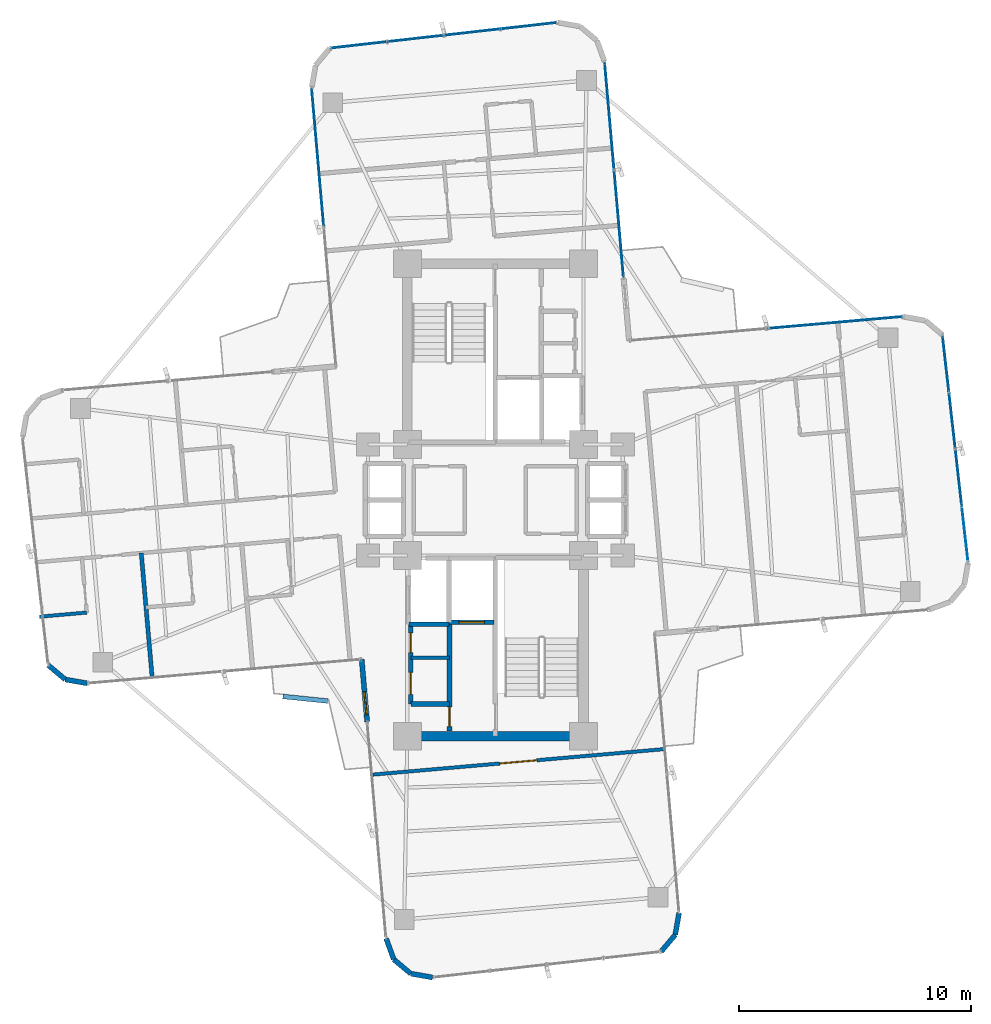
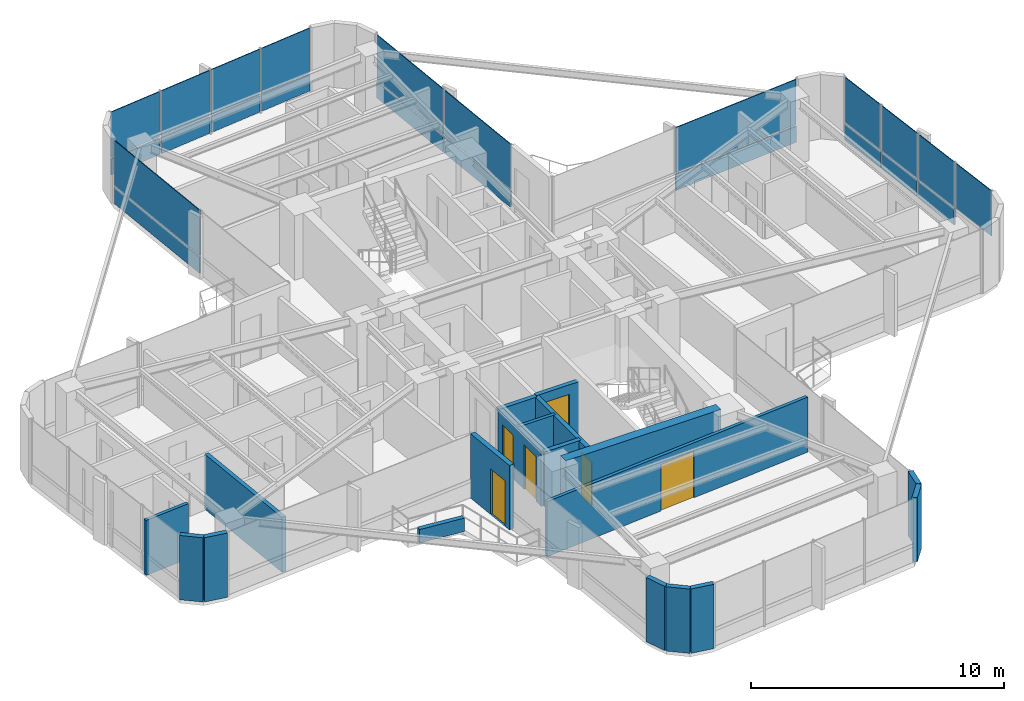
# One storey, part 20 of 24: 23 plates, 19 walls, 6 doors, 6 openings, 5 elements without a shape of their own.
"""IFC4 building model written with IfcOpenShell, lengths in metres."""

from ifc_helpers import new_model, si_unit, direction, frame, frame_2d, origin, origin_2d, place, context, subcontext, project, spatial, rectangle, extrude, source, transform, mapped, material, layer, layer_set, type_object, element, fill, aggregate, save


model = new_model("IFC4")

# Units and contexts
model_context = context("Model", 3, precision=1e-05, world=origin(), true_north=direction((0.0, 1.0)))
body_context = subcontext(model_context, "Body", "Model", "MODEL_VIEW")
ifc_project = project(units=[si_unit("LENGTHUNIT", "METRE"), si_unit("AREAUNIT", "SQUARE_METRE"), si_unit("VOLUMEUNIT", "CUBIC_METRE"), si_unit("PLANEANGLEUNIT", "RADIAN"), si_unit("MASSUNIT", "GRAM", prefix="KILO")], contexts=[model_context])

# Site, building, storey
site_placement = place(None, origin())
site = spatial("IfcSite", under=ifc_project, at=site_placement, CompositionType="ELEMENT")
building_placement = place(site_placement, origin())
building = spatial("IfcBuilding", under=site, at=building_placement, Name="Sahyath Konkavel Grand Hotel", CompositionType="ELEMENT")
storey_placement = place(building_placement, frame((0.0, 0.0, 153.949951171875)))
storey = spatial("IfcBuildingStorey", under=building, at=storey_placement, Name="L42", CompositionType="ELEMENT", Elevation=153.949951171875)

# Curtain wall, plates
ifc_material_1 = material(Name="Anodised Bronze Aluminium & Low-E Glazing", Category="aluminium")
curtain_wall_type = type_object("IfcCurtainWallType", Name="CW-ZONE3", PredefinedType="NOTDEFINED", material=ifc_material_1)
curtain_wall_1_placement = place(storey_placement, origin())
curtain_wall_1 = element("IfcCurtainWall", 1, at=curtain_wall_1_placement, inside=storey, type_object=curtain_wall_type, Name="L42 Unitised Curtain Wall F4", PredefinedType="NOTDEFINED")
ifc_material_2 = material(Name="Warm Buff Sandstone Cladding", Category="masonry")
ifc_layer_1 = layer(ifc_material_2, 0.074951171875)
ifc_layer_set_1 = layer_set([ifc_layer_1], Name="Warm Buff Sandstone Cladding")
plate_type_1 = type_object("IfcPlateType", Name="PNL-SPANDREL-STONE", PredefinedType="SHEET", material=ifc_layer_set_1)
shared_shape_1 = source(origin(), body_context, "Body", "SweptSolid", [
    extrude(rectangle(XDim=2.382080078125, YDim=0.074951171875, at=origin_2d()), origin(), (0.0, 0.0, 1.0), 0.77001953125),
])
plate_1_placement = place(storey_placement, frame((19.99755859375, 0.978515625, 0.0400390625), z_axis=(0.0, 0.0, 1.0), x_axis=(-0.111989252568, 0.993709417943, 0.0)))
plate_1 = element("IfcPlate", 2, at=plate_1_placement, type_object=plate_type_1, Name="L42 Sandstone Relief Spandrel Panel F4-1", PredefinedType="SHEET", context=body_context, shape_type="MappedRepresentation", body=[
    mapped(shared_shape_1, transform((0.0, 0.0, 0.0), scale=1.0)),
])
plate_2_placement = place(storey_placement, frame((19.7216796875, 3.425048828125, 0.0400390625), z_axis=(0.0, 0.0, 1.0), x_axis=(-0.111989252568, 0.993709417943, 0.0)))
plate_2 = element("IfcPlate", 3, at=plate_2_placement, type_object=plate_type_1, Name="L42 Sandstone Relief Spandrel Panel F4-2", PredefinedType="SHEET", context=body_context, shape_type="MappedRepresentation", body=[
    mapped(shared_shape_1, transform((0.0, 0.0, 0.0), scale=1.0)),
])
plate_3_placement = place(storey_placement, frame((19.446044921875, 5.87158203125, 0.0400390625), z_axis=(0.0, 0.0, 1.0), x_axis=(-0.111989252568, 0.993709417943, 0.0)))
plate_3 = element("IfcPlate", 4, at=plate_3_placement, type_object=plate_type_1, Name="L42 Sandstone Relief Spandrel Panel F4-3", PredefinedType="SHEET", context=body_context, shape_type="MappedRepresentation", body=[
    mapped(shared_shape_1, transform((0.0, 0.0, 0.0), scale=1.0)),
])

curtain_wall_2_placement = place(storey_placement, origin())
curtain_wall_2 = element("IfcCurtainWall", 5, at=curtain_wall_2_placement, inside=storey, type_object=curtain_wall_type, Name="L42 Unitised Curtain Wall F12", PredefinedType="NOTDEFINED")
plate_4_placement = place(storey_placement, frame((1.45068359375, 20.47265625, 0.0400390625), z_axis=(0.0, 0.0, 1.0), x_axis=(-0.993707463211, -0.112006596052, 0.0)))
plate_4 = element("IfcPlate", 6, at=plate_4_placement, type_object=plate_type_1, Name="L42 Sandstone Relief Spandrel Panel F12-0", PredefinedType="SHEET", context=body_context, shape_type="MappedRepresentation", body=[
    mapped(shared_shape_1, transform((0.0, 0.0, 0.0), scale=1.0)),
])
plate_5_placement = place(storey_placement, frame((-0.995849609375, 20.197021484375, 0.0400390625), z_axis=(0.0, 0.0, 1.0), x_axis=(-0.993707463211, -0.112006596052, 0.0)))
plate_5 = element("IfcPlate", 7, at=plate_5_placement, type_object=plate_type_1, Name="L42 Sandstone Relief Spandrel Panel F12-1", PredefinedType="SHEET", context=body_context, shape_type="MappedRepresentation", body=[
    mapped(shared_shape_1, transform((0.0, 0.0, 0.0), scale=1.0)),
])
plate_6_placement = place(storey_placement, frame((-3.4423828125, 19.921142578125, 0.0400390625), z_axis=(0.0, 0.0, 1.0), x_axis=(-0.993707463211, -0.112006596052, 0.0)))
plate_6 = element("IfcPlate", 8, at=plate_6_placement, type_object=plate_type_1, Name="L42 Sandstone Relief Spandrel Panel F12-2", PredefinedType="SHEET", context=body_context, shape_type="MappedRepresentation", body=[
    mapped(shared_shape_1, transform((0.0, 0.0, 0.0), scale=1.0)),
])
plate_7_placement = place(storey_placement, frame((-5.888916015625, 19.6455078125, 0.0400390625), z_axis=(0.0, 0.0, 1.0), x_axis=(-0.993707463211, -0.112006596052, 0.0)))
plate_7 = element("IfcPlate", 9, at=plate_7_placement, type_object=plate_type_1, Name="L42 Sandstone Relief Spandrel Panel F12-3", PredefinedType="SHEET", context=body_context, shape_type="MappedRepresentation", body=[
    mapped(shared_shape_1, transform((0.0, 0.0, 0.0), scale=1.0)),
])

# Curtain wall, plate
curtain_wall_3_placement = place(storey_placement, origin())
curtain_wall_3 = element("IfcCurtainWall", 10, at=curtain_wall_3_placement, inside=storey, type_object=curtain_wall_type, Name="L42 Unitised Curtain Wall F7", PredefinedType="NOTDEFINED")
shared_shape_2 = source(origin(), body_context, "Body", "SweptSolid", [
    extrude(rectangle(XDim=5.830078125, YDim=0.074951171875, at=origin_2d()), origin(), (0.0, 0.0, 1.0), 0.77001953125),
])
plate_8_placement = place(storey_placement, frame((14.6435546875, 7.655517578125, 0.0400390625), z_axis=(0.0, 0.0, 1.0), x_axis=(-0.996194698092, -0.087155742748, 0.0)))
plate_8 = element("IfcPlate", 11, at=plate_8_placement, type_object=plate_type_1, Name="L42 Sandstone Relief Spandrel Panel F7-0", PredefinedType="SHEET", context=body_context, shape_type="MappedRepresentation", body=[
    mapped(shared_shape_2, transform((0.0, 0.0, 0.0), scale=1.0)),
])

# Curtain wall, plates
curtain_wall_4_placement = place(storey_placement, origin())
curtain_wall_4 = element("IfcCurtainWall", 12, at=curtain_wall_4_placement, inside=storey, type_object=curtain_wall_type, Name="L42 Unitised Curtain Wall F8", PredefinedType="NOTDEFINED")
shared_shape_3 = source(origin(), body_context, "Body", "SweptSolid", [
    extrude(rectangle(XDim=4.580078125, YDim=0.074951171875, at=origin_2d()), origin(), (0.0, 0.0, 1.0), 0.77001953125),
])
plate_9_placement = place(storey_placement, frame((5.33056640625, 11.929931640625, 0.0400390625), z_axis=(0.0, 0.0, 1.0), x_axis=(-0.087155742748, 0.996194698092, 0.0)))
plate_9 = element("IfcPlate", 13, at=plate_9_placement, type_object=plate_type_1, Name="L42 Sandstone Relief Spandrel Panel F8-0", PredefinedType="SHEET", context=body_context, shape_type="MappedRepresentation", body=[
    mapped(shared_shape_3, transform((0.0, 0.0, 0.0), scale=1.0)),
])
plate_10_placement = place(storey_placement, frame((4.92431640625, 16.572265625, 0.0400390625), z_axis=(0.0, 0.0, 1.0), x_axis=(-0.087155742748, 0.996194698092, 0.0)))
plate_10 = element("IfcPlate", 14, at=plate_10_placement, type_object=plate_type_1, Name="L42 Sandstone Relief Spandrel Panel F8-1", PredefinedType="SHEET", context=body_context, shape_type="MappedRepresentation", body=[
    mapped(shared_shape_3, transform((0.0, 0.0, 0.0), scale=1.0)),
])

# Curtain wall, plate
curtain_wall_5_placement = place(storey_placement, origin())
curtain_wall_5 = element("IfcCurtainWall", 15, at=curtain_wall_5_placement, inside=storey, type_object=curtain_wall_type, Name="L42 Unitised Curtain Wall F15", PredefinedType="NOTDEFINED")
shared_shape_4 = source(origin(), body_context, "Body", "SweptSolid", [
    extrude(rectangle(XDim=5.929931640625, YDim=0.074951171875, at=origin_2d()), origin(), (0.0, 0.0, 1.0), 0.77001953125),
])
plate_11_placement = place(storey_placement, frame((-7.66845703125, 14.79296875, 0.0400390625), z_axis=(0.0, 0.0, 1.0), x_axis=(0.087155742748, -0.996194698092, 0.0)))
plate_11 = element("IfcPlate", 16, at=plate_11_placement, type_object=plate_type_1, Name="L42 Sandstone Relief Spandrel Panel F15-0", PredefinedType="SHEET", context=body_context, shape_type="MappedRepresentation", body=[
    mapped(shared_shape_4, transform((0.0, 0.0, 0.0), scale=1.0)),
])

# Plate
ifc_material_3 = material(Name="Low-E Solar Control Double Glazing", Category="glass")
ifc_layer_2 = layer(ifc_material_3, 0.035888671875)
ifc_layer_set_2 = layer_set([ifc_layer_2], Name="Low-E Solar Control Double Glazing")
plate_type_2 = type_object("IfcPlateType", Name="PNL-VISION-LOWE", PredefinedType="CURTAIN_PANEL", material=ifc_layer_set_2)
shared_shape_5 = source(origin(), body_context, "Body", "SweptSolid", [
    extrude(rectangle(XDim=2.382080078125, YDim=0.035888671875, at=origin_2d()), origin(), (0.0, 0.0, 1.0), 2.179931640625),
])
plate_12_placement = place(storey_placement, frame((20.2734375, -1.468017578125, 0.89013671875), z_axis=(0.0, 0.0, 1.0), x_axis=(-0.111989252568, 0.993709417943, 0.0)))
plate_12 = element("IfcPlate", 17, at=plate_12_placement, type_object=plate_type_2, Name="L42 Low-E Vision Glazing Panel F4-0", PredefinedType="CURTAIN_PANEL", context=body_context, shape_type="MappedRepresentation", body=[
    mapped(shared_shape_5, transform((0.0, 0.0, 0.0), scale=1.0)),
])

plate_13_placement = place(storey_placement, frame((19.99755859375, 0.978515625, 0.89013671875), z_axis=(0.0, 0.0, 1.0), x_axis=(-0.111989252568, 0.993709417943, 0.0)))
plate_13 = element("IfcPlate", 18, at=plate_13_placement, type_object=plate_type_2, Name="L42 Low-E Vision Glazing Panel F4-1", PredefinedType="CURTAIN_PANEL", context=body_context, shape_type="MappedRepresentation", body=[
    mapped(shared_shape_5, transform((0.0, 0.0, 0.0), scale=1.0)),
])

plate_14_placement = place(storey_placement, frame((19.7216796875, 3.425048828125, 0.89013671875), z_axis=(0.0, 0.0, 1.0), x_axis=(-0.111989252568, 0.993709417943, 0.0)))
plate_14 = element("IfcPlate", 19, at=plate_14_placement, type_object=plate_type_2, Name="L42 Low-E Vision Glazing Panel F4-2", PredefinedType="CURTAIN_PANEL", context=body_context, shape_type="MappedRepresentation", body=[
    mapped(shared_shape_5, transform((0.0, 0.0, 0.0), scale=1.0)),
])

plate_15_placement = place(storey_placement, frame((19.446044921875, 5.87158203125, 0.89013671875), z_axis=(0.0, 0.0, 1.0), x_axis=(-0.111989252568, 0.993709417943, 0.0)))
plate_15 = element("IfcPlate", 20, at=plate_15_placement, type_object=plate_type_2, Name="L42 Low-E Vision Glazing Panel F4-3", PredefinedType="CURTAIN_PANEL", context=body_context, shape_type="MappedRepresentation", body=[
    mapped(shared_shape_5, transform((0.0, 0.0, 0.0), scale=1.0)),
])

aggregate(curtain_wall_1, [plate_12, plate_1, plate_13, plate_2, plate_14, plate_3, plate_15])

plate_16_placement = place(storey_placement, frame((1.45068359375, 20.47265625, 0.89013671875), z_axis=(0.0, 0.0, 1.0), x_axis=(-0.993707463211, -0.112006596052, 0.0)))
plate_16 = element("IfcPlate", 21, at=plate_16_placement, type_object=plate_type_2, Name="L42 Low-E Vision Glazing Panel F12-0", PredefinedType="CURTAIN_PANEL", context=body_context, shape_type="MappedRepresentation", body=[
    mapped(shared_shape_5, transform((0.0, 0.0, 0.0), scale=1.0)),
])

plate_17_placement = place(storey_placement, frame((-0.995849609375, 20.197021484375, 0.89013671875), z_axis=(0.0, 0.0, 1.0), x_axis=(-0.993707463211, -0.112006596052, 0.0)))
plate_17 = element("IfcPlate", 22, at=plate_17_placement, type_object=plate_type_2, Name="L42 Low-E Vision Glazing Panel F12-1", PredefinedType="CURTAIN_PANEL", context=body_context, shape_type="MappedRepresentation", body=[
    mapped(shared_shape_5, transform((0.0, 0.0, 0.0), scale=1.0)),
])

plate_18_placement = place(storey_placement, frame((-3.4423828125, 19.921142578125, 0.89013671875), z_axis=(0.0, 0.0, 1.0), x_axis=(-0.993707463211, -0.112006596052, 0.0)))
plate_18 = element("IfcPlate", 23, at=plate_18_placement, type_object=plate_type_2, Name="L42 Low-E Vision Glazing Panel F12-2", PredefinedType="CURTAIN_PANEL", context=body_context, shape_type="MappedRepresentation", body=[
    mapped(shared_shape_5, transform((0.0, 0.0, 0.0), scale=1.0)),
])

plate_19_placement = place(storey_placement, frame((-5.888916015625, 19.6455078125, 0.89013671875), z_axis=(0.0, 0.0, 1.0), x_axis=(-0.993707463211, -0.112006596052, 0.0)))
plate_19 = element("IfcPlate", 24, at=plate_19_placement, type_object=plate_type_2, Name="L42 Low-E Vision Glazing Panel F12-3", PredefinedType="CURTAIN_PANEL", context=body_context, shape_type="MappedRepresentation", body=[
    mapped(shared_shape_5, transform((0.0, 0.0, 0.0), scale=1.0)),
])

aggregate(curtain_wall_2, [plate_4, plate_16, plate_5, plate_17, plate_6, plate_18, plate_7, plate_19])

shared_shape_6 = source(origin(), body_context, "Body", "SweptSolid", [
    extrude(rectangle(XDim=5.830078125, YDim=0.035888671875, at=origin_2d()), origin(), (0.0, 0.0, 1.0), 2.179931640625),
])
plate_20_placement = place(storey_placement, frame((14.6435546875, 7.655517578125, 0.89013671875), z_axis=(0.0, 0.0, 1.0), x_axis=(-0.996194698092, -0.087155742748, 0.0)))
plate_20 = element("IfcPlate", 25, at=plate_20_placement, type_object=plate_type_2, Name="L42 Low-E Vision Glazing Panel F7-0", PredefinedType="CURTAIN_PANEL", context=body_context, shape_type="MappedRepresentation", body=[
    mapped(shared_shape_6, transform((0.0, 0.0, 0.0), scale=1.0)),
])

aggregate(curtain_wall_3, [plate_8, plate_20])

shared_shape_7 = source(origin(), body_context, "Body", "SweptSolid", [
    extrude(rectangle(XDim=4.580078125, YDim=0.035888671875, at=origin_2d()), origin(), (0.0, 0.0, 1.0), 2.179931640625),
])
plate_21_placement = place(storey_placement, frame((5.33056640625, 11.929931640625, 0.89013671875), z_axis=(0.0, 0.0, 1.0), x_axis=(-0.087155742748, 0.996194698092, 0.0)))
plate_21 = element("IfcPlate", 26, at=plate_21_placement, type_object=plate_type_2, Name="L42 Low-E Vision Glazing Panel F8-0", PredefinedType="CURTAIN_PANEL", context=body_context, shape_type="MappedRepresentation", body=[
    mapped(shared_shape_7, transform((0.0, 0.0, 0.0), scale=1.0)),
])

plate_22_placement = place(storey_placement, frame((4.92431640625, 16.572265625, 0.89013671875), z_axis=(0.0, 0.0, 1.0), x_axis=(-0.087155742748, 0.996194698092, 0.0)))
plate_22 = element("IfcPlate", 27, at=plate_22_placement, type_object=plate_type_2, Name="L42 Low-E Vision Glazing Panel F8-1", PredefinedType="CURTAIN_PANEL", context=body_context, shape_type="MappedRepresentation", body=[
    mapped(shared_shape_7, transform((0.0, 0.0, 0.0), scale=1.0)),
])

aggregate(curtain_wall_4, [plate_9, plate_21, plate_10, plate_22])

shared_shape_8 = source(origin(), body_context, "Body", "SweptSolid", [
    extrude(rectangle(XDim=5.929931640625, YDim=0.035888671875, at=origin_2d()), origin(), (0.0, 0.0, 1.0), 2.179931640625),
])
plate_23_placement = place(storey_placement, frame((-7.66845703125, 14.79296875, 0.89013671875), z_axis=(0.0, 0.0, 1.0), x_axis=(0.087155742748, -0.996194698092, 0.0)))
plate_23 = element("IfcPlate", 28, at=plate_23_placement, type_object=plate_type_2, Name="L42 Low-E Vision Glazing Panel F15-0", PredefinedType="CURTAIN_PANEL", context=body_context, shape_type="MappedRepresentation", body=[
    mapped(shared_shape_8, transform((0.0, 0.0, 0.0), scale=1.0)),
])

aggregate(curtain_wall_5, [plate_11, plate_23])

# Walls
ifc_material_4 = material(Name="Concrete C50/60", Category="concrete")
ifc_layer_3 = layer(ifc_material_4, 0.419921875)
ifc_layer_set_3 = layer_set([ifc_layer_3], Name="Concrete C50/60")
wall_type_1 = type_object("IfcWallType", Name="CWALL-420", PredefinedType="SHEAR", material=ifc_layer_set_3)
wall_1_placement = place(storey_placement, frame((-3.550048828125, -10.199951171875, 0.0), z_axis=(0.0, 0.0, 1.0), x_axis=(1.0, 0.0, 0.0)))
element("IfcWall", 29, at=wall_1_placement, inside=storey, type_object=wall_type_1, Name="L42 South Core Shear Wall S", PredefinedType="SHEAR", context=body_context, shape_type="SweptSolid", body=[
    extrude(rectangle(XDim=7.10009765625, YDim=0.419921875, at=frame_2d((3.550048828125, 0.0))), origin(), (0.0, 0.0, 1.0), 3.110107421875),
])
ifc_material_5 = material(Name="Warm Buff Sandstone Insulated Concrete C40/50", Category="masonry")
ifc_layer_4 = layer(ifc_material_5, 0.219970703125)
ifc_layer_set_4 = layer_set([ifc_layer_4], Name="Warm Buff Sandstone Insulated Concrete C40/50")
wall_type_2 = type_object("IfcWallType", Name="WLL-BALC-THRESH", PredefinedType="STANDARD", material=ifc_layer_set_4)
wall_2_placement = place(storey_placement, frame((-19.3037109375, -7.134521484375, 0.0), z_axis=(0.0, 0.0, 1.0), x_axis=(0.766001159887, -0.642839189107, 0.0)))
element("IfcWall", 30, at=wall_2_placement, inside=storey, type_object=wall_type_2, Name="L42 Rounded Corner Sandstone Pier 21", PredefinedType="STANDARD", context=body_context, shape_type="SweptSolid", body=[
    extrude(rectangle(XDim=0.95751953125, YDim=0.219970703125, at=frame_2d((0.478759765625, 0.0))), origin(), (0.0, 0.0, 1.0), 3.110107421875),
])
wall_3_placement = place(storey_placement, frame((-18.5703125, -7.75, 0.0), z_axis=(0.0, 0.0, 1.0), x_axis=(0.984770724397, -0.173858046606, 0.0)))
element("IfcWall", 31, at=wall_3_placement, inside=storey, type_object=wall_type_2, Name="L42 Rounded Corner Sandstone Pier 22", PredefinedType="STANDARD", context=body_context, shape_type="SweptSolid", body=[
    extrude(rectangle(XDim=0.957763671875, YDim=0.219970703125, at=frame_2d((0.47900390625, 0.0))), origin(), (0.0, 0.0, 1.0), 3.110107421875),
])

# Wall, opening, door
wall_4_placement = place(storey_placement, frame((-5.7724609375, -6.87939453125, 0.0), z_axis=(0.0, 0.0, 1.0), x_axis=(0.087168071984, -0.996193619346, 0.0)))
wall_4 = element("IfcWall", 32, at=wall_4_placement, inside=storey, type_object=wall_type_2, Name="L42 Winter-Garden Threshold Wall 24", PredefinedType="STANDARD", context=body_context, shape_type="SweptSolid", body=[
    extrude(rectangle(XDim=2.699951171875, YDim=0.219970703125, at=frame_2d((1.35009765625, 0.0))), origin(), (0.0, 0.0, 1.0), 3.110107421875),
])
opening_1_placement = place(wall_4_placement, frame((1.39990234375, 0.0, 0.0)))
opening_1 = element("IfcOpeningElement", 33, at=opening_1_placement, cuts=wall_4, Name="Opening D-TR1", PredefinedType="OPENING", context=body_context, shape_type="SweptSolid", body=[
    extrude(rectangle(XDim=1.0, YDim=2.199951171875, at=frame_2d((0.5, 1.10009765625))), frame((0.0, 0.1201171875, 0.0), z_axis=(0.0, -1.0, 0.0), x_axis=(1.0, 0.0, 0.0)), (0.0, 0.0, 1.0), 0.239990234375),
])
door_type_1 = type_object("IfcDoorType", Name="DR-TERRACE-1000", OperationType="NOTDEFINED", PredefinedType="DOOR", material=ifc_material_1)
shared_shape_9 = source(origin(), body_context, "Body", "SweptSolid", [
    extrude(rectangle(XDim=1.0, YDim=0.050048828125, at=origin_2d()), origin(), (0.0, 0.0, 1.0), 2.199951171875),
])
door_1_placement = place(opening_1_placement, frame((0.5, 0.0, 0.0)))
door_1 = element("IfcDoor", 34, at=door_1_placement, inside=storey, type_object=door_type_1, Name="L42 Winter-Garden Terrace Door 24", OperationType="SINGLE_SWING_LEFT", OverallHeight=2.199951171875, OverallWidth=1.0, PredefinedType="DOOR", context=body_context, shape_type="MappedRepresentation", body=[
    mapped(shared_shape_9, transform((0.0, 0.0, 0.0), scale=1.0)),
])
fill(opening_1, door_1)

# Walls
wall_5_placement = place(storey_placement, frame((-4.7177734375, -18.93310546875, 0.0), z_axis=(0.0, 0.0, 1.0), x_axis=(0.34188635151, -0.939741306239, 0.0)))
element("IfcWall", 35, at=wall_5_placement, inside=storey, type_object=wall_type_2, Name="L42 Rounded Corner Sandstone Pier 25", PredefinedType="STANDARD", context=body_context, shape_type="SweptSolid", body=[
    extrude(rectangle(XDim=0.95751953125, YDim=0.219970703125, at=frame_2d((0.478759765625, 0.0))), origin(), (0.0, 0.0, 1.0), 3.110107421875),
])
for number, where, z_axis, x_axis, name in (
    (36, (-4.390380859375, -19.8330078125, 0.0), (0.0, 0.0, 1.0), (0.765980978054, -0.642863236823, 0.0), "L42 Rounded Corner Sandstone Pier 26"),
    (37, (-3.65673828125, -20.44873046875, 0.0), (0.0, 0.0, 1.0), (0.984814340885, -0.173610811841, 0.0), "L42 Rounded Corner Sandstone Pier 27"),
):
    element("IfcWall", number, at=place(storey_placement, frame(where, z_axis=z_axis, x_axis=x_axis)), inside=storey, type_object=wall_type_2, Name=name, PredefinedType="STANDARD", context=body_context, shape_type="SweptSolid", body=[
        extrude(rectangle(XDim=0.957763671875, YDim=0.219970703125, at=frame_2d((0.47900390625, 0.0))), origin(), (0.0, 0.0, 1.0), 3.110107421875),
    ])
for number, where, z_axis, x_axis, name in (
    (38, (7.152099609375, -19.5029296875, 0.0), (0.0, 0.0, 1.0), (0.642713642115, 0.766106503196, 0.0), "L42 Rounded Corner Sandstone Pier 29"),
    (39, (7.767578125, -18.769287109375, 0.0), (0.0, 0.0, 1.0), (0.173654409999, 0.984806654064, 0.0), "L42 Rounded Corner Sandstone Pier 30"),
):
    element("IfcWall", number, at=place(storey_placement, frame(where, z_axis=z_axis, x_axis=x_axis)), inside=storey, type_object=wall_type_2, Name=name, PredefinedType="STANDARD", context=body_context, shape_type="SweptSolid", body=[
        extrude(rectangle(XDim=0.95751953125, YDim=0.219970703125, at=frame_2d((0.478759765625, 0.0))), origin(), (0.0, 0.0, 1.0), 3.110107421875),
    ])

# Wall, opening, door
ifc_material_6 = material(Name="Concrete C40/50", Category="concrete")
ifc_layer_5 = layer(ifc_material_6, 0.199951171875)
ifc_layer_set_5 = layer_set([ifc_layer_5], Name="Concrete C40/50")
wall_type_3 = type_object("IfcWallType", Name="WLL-CORE-200", PredefinedType="SOLIDWALL", material=ifc_layer_set_5)
wall_6_placement = place(storey_placement, frame((-1.97998046875, -9.97998046875, 0.0), z_axis=(0.0, 0.0, 1.0), x_axis=(0.0, 1.0, 0.0)))
wall_6 = element("IfcWall", 40, at=wall_6_placement, inside=storey, type_object=wall_type_3, Name="L42 South Firefighting Lobby Wall W", PredefinedType="SOLIDWALL", context=body_context, shape_type="SweptSolid", body=[
    extrude(rectangle(XDim=4.659912109375, YDim=0.199951171875, at=frame_2d((2.330078125, 0.0))), origin(), (0.0, 0.0, 1.0), 2.66015625),
])
opening_2_placement = place(wall_6_placement, frame((0.199951171875, 0.0, 0.0)))
opening_2 = element("IfcOpeningElement", 41, at=opening_2_placement, cuts=wall_6, Name="Opening D-F12D", PredefinedType="OPENING", context=body_context, shape_type="SweptSolid", body=[
    extrude(rectangle(XDim=0.85009765625, YDim=2.10009765625, at=frame_2d((0.425048828125, 1.050048828125))), frame((0.0, 0.10986328125, 0.0), z_axis=(0.0, -1.0, 0.0), x_axis=(1.0, 0.0, 0.0)), (0.0, 0.0, 1.0), 0.219970703125),
])
ifc_material_7 = material(Name="Steel E350 Core Fire Door", Category="steel")
door_type_2 = type_object("IfcDoorType", Name="DR-FD120-850", OperationType="NOTDEFINED", PredefinedType="DOOR", material=ifc_material_7)
shared_shape_10 = source(origin(), body_context, "Body", "SweptSolid", [
    extrude(rectangle(XDim=0.85009765625, YDim=0.050048828125, at=origin_2d()), origin(), (0.0, 0.0, 1.0), 2.10009765625),
])
door_2_placement = place(opening_2_placement, frame((0.425048828125, 0.0, 0.0)))
door_2 = element("IfcDoor", 42, at=door_2_placement, inside=storey, type_object=door_type_2, Name="L42 South Firefighting Lobby Door", OperationType="SINGLE_SWING_LEFT", OverallHeight=2.10009765625, OverallWidth=0.85009765625, PredefinedType="DOOR", context=body_context, shape_type="MappedRepresentation", body=[
    mapped(shared_shape_10, transform((0.0, 0.0, 0.0), scale=1.0)),
])
fill(opening_2, door_2)

wall_7_placement = place(storey_placement, frame((-1.97998046875, -5.280029296875, 0.0), z_axis=(0.0, 0.0, 1.0), x_axis=(1.0, 0.0, 0.0)))
wall_7 = element("IfcWall", 43, at=wall_7_placement, inside=storey, type_object=wall_type_3, Name="L42 Partition SH-FFL2-S", PredefinedType="SOLIDWALL", context=body_context, shape_type="SweptSolid", body=[
    extrude(rectangle(XDim=1.929931640625, YDim=0.199951171875, at=frame_2d((0.96484375, 0.0))), origin(), (0.0, 0.0, 1.0), 2.66015625),
])
opening_3_placement = place(wall_7_placement, frame((0.39990234375, 0.0, 0.0)))
opening_3 = element("IfcOpeningElement", 44, at=opening_3_placement, cuts=wall_7, Name="Opening LD-11", PredefinedType="OPENING", context=body_context, shape_type="SweptSolid", body=[
    extrude(rectangle(XDim=1.10009765625, YDim=2.199951171875, at=frame_2d((0.550048828125, 1.10009765625))), frame((0.0, 0.10986328125, 0.0), z_axis=(0.0, -1.0, 0.0), x_axis=(1.0, 0.0, 0.0)), (0.0, 0.0, 1.0), 0.219970703125),
])
ifc_material_8 = material(Name="Bronze Lift Landing Door 1100")
door_type_3 = type_object("IfcDoorType", Name="DR-LIFT-1100", OperationType="DOUBLE_DOOR_SLIDING", PredefinedType="DOOR", material=ifc_material_8)
shared_shape_11 = source(origin(), body_context, "Body", "SweptSolid", [
    extrude(rectangle(XDim=1.10009765625, YDim=0.050048828125, at=origin_2d()), origin(), (0.0, 0.0, 1.0), 2.199951171875),
])
door_3_placement = place(opening_3_placement, frame((0.550048828125, 0.0, 0.0)))
door_3 = element("IfcDoor", 45, at=door_3_placement, inside=storey, type_object=door_type_3, Name="L42 Lift FFL-2 Landing Door", OperationType="DOUBLE_DOOR_SLIDING", OverallHeight=2.199951171875, OverallWidth=1.10009765625, PredefinedType="DOOR", context=body_context, shape_type="MappedRepresentation", body=[
    mapped(shared_shape_11, transform((0.0, 0.0, 0.0), scale=1.0)),
])
fill(opening_3, door_3)

# Wall
wall_8_placement = place(storey_placement, frame((-3.739990234375, -5.360107421875, 0.0), z_axis=(0.0, 0.0, 1.0), x_axis=(1.0, 0.0, 0.0)))
element("IfcWall", 46, at=wall_8_placement, inside=storey, type_object=wall_type_3, Name="L42 Partition SH-SVL2-S", PredefinedType="SOLIDWALL", context=body_context, shape_type="SweptSolid", body=[
    extrude(rectangle(XDim=1.739990234375, YDim=0.199951171875, at=frame_2d((0.8701171875, 0.0))), origin(), (0.0, 0.0, 1.0), 2.66015625),
])

# Wall, openings, doors
wall_9_placement = place(storey_placement, frame((-3.64990234375, -8.81005859375, 0.0), z_axis=(0.0, 0.0, 1.0), x_axis=(0.0, 1.0, 0.0)))
wall_9 = element("IfcWall", 47, at=wall_9_placement, inside=storey, type_object=wall_type_3, Name="L42 Reclaimed South Core Wall W", PredefinedType="SOLIDWALL", context=body_context, shape_type="SweptSolid", body=[
    extrude(rectangle(XDim=3.43017578125, YDim=0.199951171875, at=frame_2d((1.715087890625, 0.0))), origin(), (0.0, 0.0, 1.0), 2.66015625),
])
opening_4_placement = place(wall_9_placement, frame((0.419921875, 0.0, 0.0)))
opening_4 = element("IfcOpeningElement", 48, at=opening_4_placement, cuts=wall_9, Name="Opening D-AC95", PredefinedType="OPENING", context=body_context, shape_type="SweptSolid", body=[
    extrude(rectangle(XDim=0.949951171875, YDim=2.14990234375, at=frame_2d((0.47509765625, 1.074951171875))), frame((0.0, 0.10986328125, 0.0), z_axis=(0.0, -1.0, 0.0), x_axis=(1.0, 0.0, 0.0)), (0.0, 0.0, 1.0), 0.219970703125),
])
opening_5_placement = place(wall_9_placement, frame((2.219970703125, 0.0, 0.0)))
opening_5 = element("IfcOpeningElement", 49, at=opening_5_placement, cuts=wall_9, Name="Opening D-F06D", PredefinedType="OPENING", context=body_context, shape_type="SweptSolid", body=[
    extrude(rectangle(XDim=0.85009765625, YDim=2.10009765625, at=frame_2d((0.425048828125, 1.050048828125))), frame((0.0, 0.10986328125, 0.0), z_axis=(0.0, -1.0, 0.0), x_axis=(1.0, 0.0, 0.0)), (0.0, 0.0, 1.0), 0.219970703125),
])
ifc_material_9 = material(Name="Accessible Washroom Timber Door", Category="wood")
door_type_4 = type_object("IfcDoorType", Name="DR-ACC-950", OperationType="NOTDEFINED", PredefinedType="DOOR", material=ifc_material_9)
shared_shape_12 = source(origin(), body_context, "Body", "SweptSolid", [
    extrude(rectangle(XDim=0.949951171875, YDim=0.050048828125, at=origin_2d()), origin(), (0.0, 0.0, 1.0), 2.14990234375),
])
door_4_placement = place(opening_4_placement, frame((0.47509765625, 0.0, 0.0)))
door_4 = element("IfcDoor", 50, at=door_4_placement, inside=storey, type_object=door_type_4, Name="L42 Door SC-REC1-D", OperationType="SINGLE_SWING_RIGHT", OverallHeight=2.14990234375, OverallWidth=0.949951171875, PredefinedType="DOOR", context=body_context, shape_type="MappedRepresentation", body=[
    mapped(shared_shape_12, transform((0.0, 0.0, 0.0), scale=1.0)),
])
fill(opening_4, door_4)
ifc_material_10 = material(Name="Fire-Rated Shaft Access Door")
door_type_5 = type_object("IfcDoorType", Name="DR-FD60-850", OperationType="NOTDEFINED", PredefinedType="DOOR", material=ifc_material_10)
door_5_placement = place(opening_5_placement, frame((0.425048828125, 0.0, 0.0)))
door_5 = element("IfcDoor", 51, at=door_5_placement, inside=storey, type_object=door_type_5, Name="L42 Door SC-REC2-D", OperationType="SINGLE_SWING_LEFT", OverallHeight=2.10009765625, OverallWidth=0.85009765625, PredefinedType="DOOR", context=body_context, shape_type="MappedRepresentation", body=[
    mapped(shared_shape_10, transform((0.0, 0.0, 0.0), scale=1.0)),
])
fill(opening_5, door_5)

# Walls
wall_10_placement = place(storey_placement, frame((-3.64990234375, -8.81005859375, 0.0), z_axis=(0.0, 0.0, 1.0), x_axis=(1.0, 0.0, 0.0)))
element("IfcWall", 52, at=wall_10_placement, inside=storey, type_object=wall_type_3, Name="L42 Partition SC-REC-S", PredefinedType="SOLIDWALL", context=body_context, shape_type="SweptSolid", body=[
    extrude(rectangle(XDim=1.669921875, YDim=0.199951171875, at=frame_2d((0.8349609375, 0.0))), origin(), (0.0, 0.0, 1.0), 2.66015625),
])
ifc_material_11 = material(Name="Twin-Stud Acoustic Gypsum Plasterboard Partition")
ifc_layer_6 = layer(ifc_material_11, 0.179931640625)
ifc_layer_set_6 = layer_set([ifc_layer_6], Name="Twin-Stud Acoustic Gypsum Plasterboard Partition")
wall_type_4 = type_object("IfcWallType", Name="WLL-DEMISE-180", PredefinedType="PARTITIONING", material=ifc_layer_set_6)
wall_11_placement = place(storey_placement, frame((-15.28857421875, -2.291259765625, 0.0), z_axis=(0.0, 0.0, 1.0), x_axis=(0.087161289348, -0.996194212812, 0.0)))
element("IfcWall", 53, at=wall_11_placement, inside=storey, type_object=wall_type_4, Name="L42 Partition W-W2L-DEM", PredefinedType="PARTITIONING", context=body_context, shape_type="SweptSolid", body=[
    extrude(rectangle(XDim=5.349853515625, YDim=0.179931640625, at=frame_2d((2.6748046875, 0.0))), origin(), (0.0, 0.0, 1.0), 2.66015625),
])
ifc_material_12 = material(Name="Fire-Rated Gypsum Plasterboard Partition")
ifc_layer_7 = layer(ifc_material_12, 0.14990234375)
ifc_layer_set_7 = layer_set([ifc_layer_7], Name="Fire-Rated Gypsum Plasterboard Partition")
wall_type_5 = type_object("IfcWallType", Name="WLL-PART-150", PredefinedType="PARTITIONING", material=ifc_layer_set_7)
wall_12_placement = place(storey_placement, frame((-3.64990234375, -6.81005859375, 0.0), z_axis=(0.0, 0.0, 1.0), x_axis=(1.0, 0.0, 0.0)))
element("IfcWall", 54, at=wall_12_placement, inside=storey, type_object=wall_type_5, Name="L42 Partition SC-REC-M1", PredefinedType="PARTITIONING", context=body_context, shape_type="SweptSolid", body=[
    extrude(rectangle(XDim=1.669921875, YDim=0.14990234375, at=frame_2d((0.8349609375, 0.0))), origin(), (0.0, 0.0, 1.0), 2.66015625),
])
wall_13_placement = place(storey_placement, frame((-17.6435546875, -4.860107421875, 0.0), z_axis=(0.0, 0.0, 1.0), x_axis=(-0.99619307114, -0.087174336889, 0.0)))
element("IfcWall", 55, at=wall_13_placement, inside=storey, type_object=wall_type_5, Name="L42 Partition W-W3L-BF", PredefinedType="PARTITIONING", context=body_context, shape_type="SweptSolid", body=[
    extrude(rectangle(XDim=2.050048828125, YDim=0.14990234375, at=frame_2d((1.02490234375, 0.0))), origin(), (0.0, 0.0, 1.0), 2.66015625),
])

# Wall, opening, door
wall_14_placement = place(storey_placement, frame((-5.286865234375, -11.85595703125, 0.0), z_axis=(0.0, 0.0, 1.0), x_axis=(0.996194790044, 0.087154691724, 0.0)))
wall_14 = element("IfcWall", 56, at=wall_14_placement, inside=storey, type_object=wall_type_5, Name="L42 Partition S-SAL-IN", PredefinedType="PARTITIONING", context=body_context, shape_type="SweptSolid", body=[
    extrude(rectangle(XDim=12.599853515625, YDim=0.14990234375, at=frame_2d((6.2998046875, 0.0))), origin(), (0.0, 0.0, 1.0), 2.66015625),
])
opening_6_placement = place(wall_14_placement, frame((5.5, 0.0, 0.0)))
opening_6 = element("IfcOpeningElement", 57, at=opening_6_placement, cuts=wall_14, Name="Opening D-DB16", PredefinedType="OPENING", context=body_context, shape_type="SweptSolid", body=[
    extrude(rectangle(XDim=1.60009765625, YDim=2.25, at=frame_2d((0.800048828125, 1.125))), frame((0.0, 0.0849609375, 0.0), z_axis=(0.0, -1.0, 0.0), x_axis=(1.0, 0.0, 0.0)), (0.0, 0.0, 1.0), 0.169921875),
])
ifc_material_13 = material(Name="Double Leaf Lounge Glazed Timber Door", Category="wood")
door_type_6 = type_object("IfcDoorType", Name="DR-DBL-1600", OperationType="DOUBLE_DOOR_SINGLE_SWING", PredefinedType="DOOR", material=ifc_material_13)
shared_shape_13 = source(origin(), body_context, "Body", "SweptSolid", [
    extrude(rectangle(XDim=1.60009765625, YDim=0.050048828125, at=origin_2d()), origin(), (0.0, 0.0, 1.0), 2.25),
])
door_6_placement = place(opening_6_placement, frame((0.800048828125, 0.0, 0.0)))
door_6 = element("IfcDoor", 58, at=door_6_placement, inside=storey, type_object=door_type_6, Name="L42 Door S-SAL-D", OperationType="DOUBLE_DOOR_SINGLE_SWING", OverallHeight=2.25, OverallWidth=1.60009765625, PredefinedType="DOOR", context=body_context, shape_type="MappedRepresentation", body=[
    mapped(shared_shape_13, transform((0.0, 0.0, 0.0), scale=1.0)),
])
fill(opening_6, door_6)

# Wall
ifc_material_14 = material(Name="Warm Buff Sandstone Planter Wall", Category="masonry")
ifc_layer_8 = layer(ifc_material_14, 0.199951171875)
ifc_layer_set_8 = layer_set([ifc_layer_8], Name="Warm Buff Sandstone Planter Wall")
wall_type_6 = type_object("IfcWallType", Name="WLL-PLANTER-200", PredefinedType="PARAPET", material=ifc_layer_set_8)
wall_15_placement = place(storey_placement, frame((-9.173583984375, -8.483642578125, 0.0), z_axis=(0.0, 0.0, 1.0), x_axis=(0.994814431637, -0.101706669429, 0.0)))
element("IfcWall", 59, at=wall_15_placement, inside=storey, type_object=wall_type_6, Name="L42 Sky-Garden Stone Planter PLANTER SW", PredefinedType="PARAPET", context=body_context, shape_type="SweptSolid", body=[
    extrude(rectangle(XDim=1.94189453125, YDim=0.199951171875, at=frame_2d((0.970947265625, 0.0))), origin(), (0.0, 0.0, 1.0), 0.650146484375),
])

save(model, "model.ifc")
